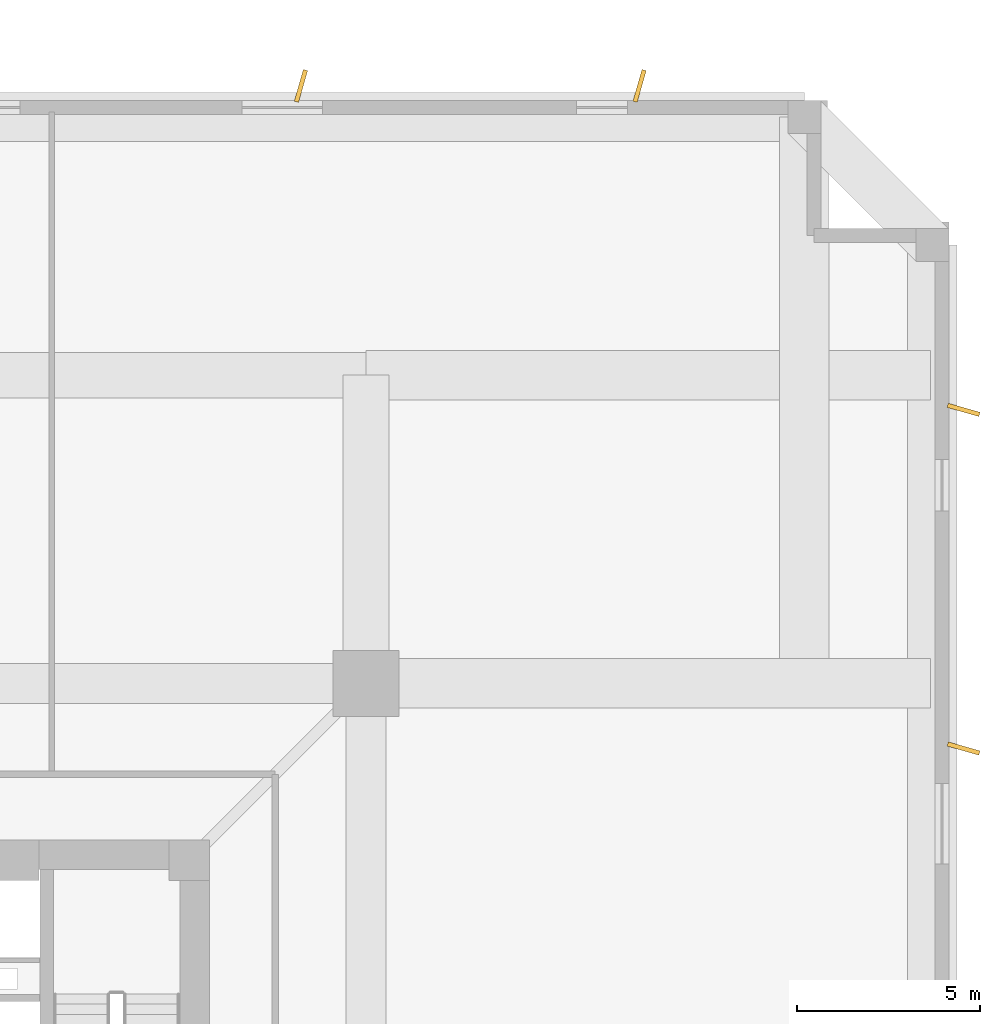
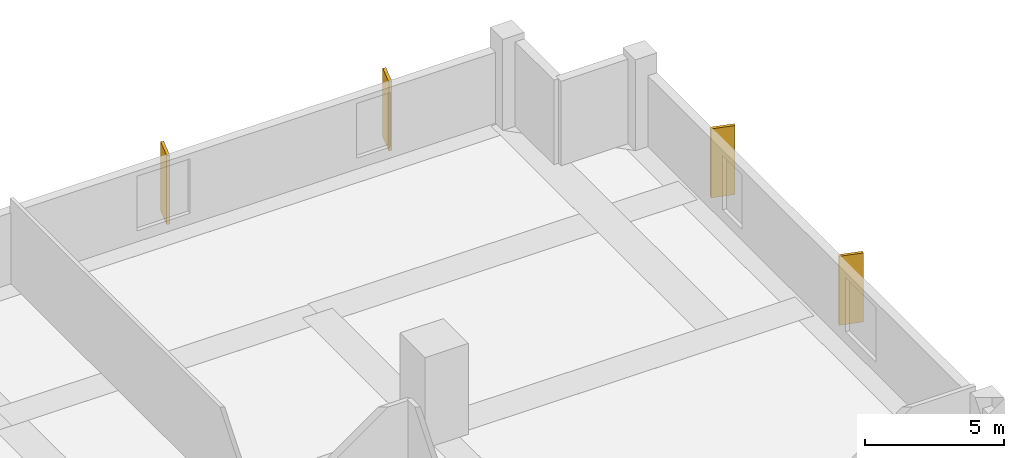
# One storey, part 9 of 9: 4 coverings.
"""IFC4 building model written with IfcOpenShell, lengths in metres."""

from ifc_helpers import new_model, si_unit, direction, frame, origin, origin_2d, place, context, subcontext, project, spatial, rectangle, extrude, source, transform, mapped, material, layer, layer_set, type_object, element, save


model = new_model("IFC4")

# Units and contexts
model_context = context("Model", 3, precision=1e-05, world=origin(), true_north=direction((0.0, 1.0)))
body_context = subcontext(model_context, "Body", "Model", "MODEL_VIEW")
ifc_project = project(units=[si_unit("LENGTHUNIT", "METRE"), si_unit("AREAUNIT", "SQUARE_METRE"), si_unit("VOLUMEUNIT", "CUBIC_METRE"), si_unit("PLANEANGLEUNIT", "RADIAN"), si_unit("MASSUNIT", "GRAM", prefix="KILO"), si_unit("THERMODYNAMICTEMPERATUREUNIT", "KELVIN")], contexts=[model_context])

# Site, building, storey
site_placement = place(None, origin())
site = spatial("IfcSite", under=ifc_project, at=site_placement, CompositionType="ELEMENT")
building_placement = place(site_placement, origin())
building = spatial("IfcBuilding", under=site, at=building_placement, Name="Kosmvard Interchange Tower", CompositionType="ELEMENT")
storey_placement = place(building_placement, frame((0.0, 0.0, 26.0)))
storey = spatial("IfcBuildingStorey", under=building, at=storey_placement, Name="L05", CompositionType="ELEMENT", Elevation=26.0)

# Coverings
ifc_material = material(Name="Architectural anodised aluminium", Category="aluminium")
ifc_layer = layer(ifc_material, 0.1201171875, Name="Architectural anodised aluminium")
ifc_layer_set = layer_set([ifc_layer], Name="Architectural anodised aluminium")
covering_type = type_object("IfcCoveringType", Name="Rotating Vertical Sun-Breaker Fin 900x120 Aluminium", PredefinedType="CLADDING", material=ifc_layer_set)
shared_shape = source(origin(), body_context, "Body", "SweptSolid", [
    extrude(rectangle(XDim=0.89990234375, YDim=0.1201171875, at=origin_2d()), origin(), (0.0, 0.0, 1.0), 3.0400390625),
])
for number, where, z_axis, x_axis, name in (
    (1, (29.39990234375, 11.3037109375, 0.0400390625), (0.0, 0.0, 1.0), (0.961261695938, -0.275637355817, 0.0), "L05 Rotating Vertical Sun-Breaker Fin 07"),
    (2, (29.39990234375, 20.552001953125, 0.0400390625), (0.0, 0.0, 1.0), (0.961261695938, -0.275637355817, 0.0), "L05 Rotating Vertical Sun-Breaker Fin 08"),
    (3, (20.552001953125, 29.39990234375, 0.0400390625), (0.0, 0.0, 1.0), (0.275637355817, 0.961261695938, 0.0), "L05 Rotating Vertical Sun-Breaker Fin 09"),
    (4, (11.3037109375, 29.39990234375, 0.0400390625), (0.0, 0.0, 1.0), (0.275637355817, 0.961261695938, 0.0), "L05 Rotating Vertical Sun-Breaker Fin 10"),
):
    element("IfcCovering", number, at=place(storey_placement, frame(where, z_axis=z_axis, x_axis=x_axis)), inside=storey, type_object=covering_type, Name=name, PredefinedType="CLADDING", context=body_context, shape_type="MappedRepresentation", body=[
        mapped(shared_shape, transform((0.0, 0.0, 0.0), scale=1.0)),
    ])

save(model, "model.ifc")
